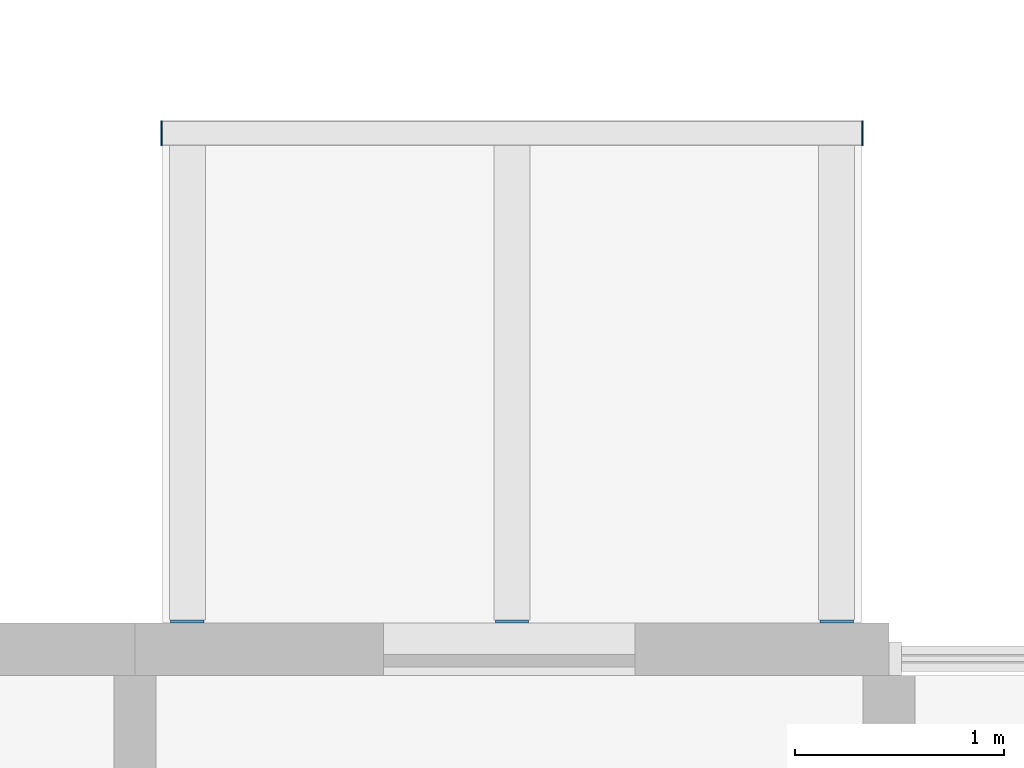
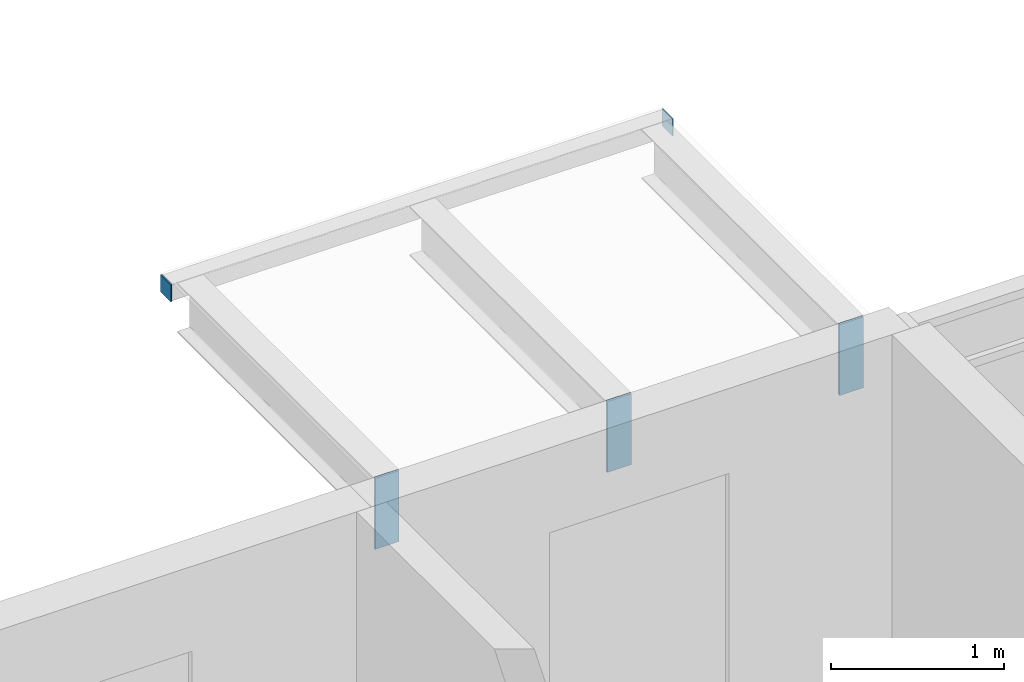
# One storey, part 64 of 87: 5 discrete accessories.
"""IFC4 building model written with IfcOpenShell, lengths in metres."""

from ifc_helpers import new_model, si_unit, direction, frame, origin, origin_2d, place, context, subcontext, project, spatial, rectangle, extrude, material, layer, layer_set, type_object, element, save


model = new_model("IFC4")

# Units and contexts
model_context = context("Model", 3, precision=1e-05, world=origin(), true_north=direction((0.0, 1.0)))
body_context = subcontext(model_context, "Body", "Model", "MODEL_VIEW")
ifc_project = project(units=[si_unit("LENGTHUNIT", "METRE"), si_unit("AREAUNIT", "SQUARE_METRE"), si_unit("VOLUMEUNIT", "CUBIC_METRE"), si_unit("PLANEANGLEUNIT", "RADIAN"), si_unit("MASSUNIT", "GRAM", prefix="KILO")], contexts=[model_context])

# Site, building, storey
site_placement = place(None, origin())
site = spatial("IfcSite", under=ifc_project, at=site_placement, CompositionType="ELEMENT")
building_placement = place(site_placement, origin())
building = spatial("IfcBuilding", under=site, at=building_placement, Name="Ridgestep Commons", CompositionType="ELEMENT")
storey_placement = place(building_placement, frame((0.0, 0.0, 27.0)))
storey = spatial("IfcBuildingStorey", under=building, at=storey_placement, Name="L09", CompositionType="ELEMENT", Elevation=27.0)

# Discrete accessories
ifc_material_1 = material(Name="Weathering steel S355J2W", Category="steel")
ifc_layer_1 = layer(ifc_material_1, 0.014892578125)
ifc_layer_set_1 = layer_set([ifc_layer_1], Name="Tray bracket plate 15")
discrete_accessory_type_1 = type_object("IfcDiscreteAccessoryType", Name="Tray bracket plate 15", PredefinedType="BRACKET", material=ifc_layer_set_1)
for number, where, z_axis, x_axis, name in (
    (1, (19.449951171875, 23.007568359375, 2.488525390625), (0.0, 0.0, 1.0), (1.0, 0.0, 0.0), "Tray bracket A1T3-10.1"),
    (2, (21.0, 23.007568359375, 2.488525390625), (0.0, 0.0, 1.0), (1.0, 0.0, 0.0), "Tray bracket A1T3-10.2"),
    (3, (22.550048828125, 23.007568359375, 2.488525390625), (0.0, 0.0, 1.0), (1.0, 0.0, 0.0), "Tray bracket A1T3-10.3"),
):
    element("IfcDiscreteAccessory", number, at=place(storey_placement, frame(where, z_axis=z_axis, x_axis=x_axis)), inside=storey, type_object=discrete_accessory_type_1, Name=name, PredefinedType="BRACKET", context=body_context, shape_type="SweptSolid", body=[
        extrude(rectangle(XDim=0.159912109375, YDim=0.014892578125, at=origin_2d()), origin(), (0.0, 0.0, 1.0), 0.50146484375),
    ])
ifc_material_2 = material(Name="Weathering steel S355J2W", Category="steel")
ifc_layer_2 = layer(ifc_material_2, 0.008056640625)
ifc_layer_set_2 = layer_set([ifc_layer_2], Name="Tray edge member end plate 120 x 120 x 8")
discrete_accessory_type_2 = type_object("IfcDiscreteAccessoryType", Name="Tray edge member end plate 120 x 120 x 8", PredefinedType="BRACKET", material=ifc_layer_set_2)
for number, where, z_axis, x_axis, name in (
    (4, (19.325927734375, 25.340087890625, 2.869873046875), (0.0, 0.0, 1.0), (1.0, 0.0, 0.0), "Tray edge member end plate A1T3-10 west"),
    (5, (22.674072265625, 25.340087890625, 2.869873046875), (0.0, 0.0, 1.0), (1.0, 0.0, 0.0), "Tray edge member end plate A1T3-10 east"),
):
    element("IfcDiscreteAccessory", number, at=place(storey_placement, frame(where, z_axis=z_axis, x_axis=x_axis)), inside=storey, type_object=discrete_accessory_type_2, Name=name, PredefinedType="BRACKET", context=body_context, shape_type="SweptSolid", body=[
        extrude(rectangle(XDim=0.008056640625, YDim=0.1201171875, at=origin_2d()), origin(), (0.0, 0.0, 1.0), 0.1201171875),
    ])

save(model, "model.ifc")
